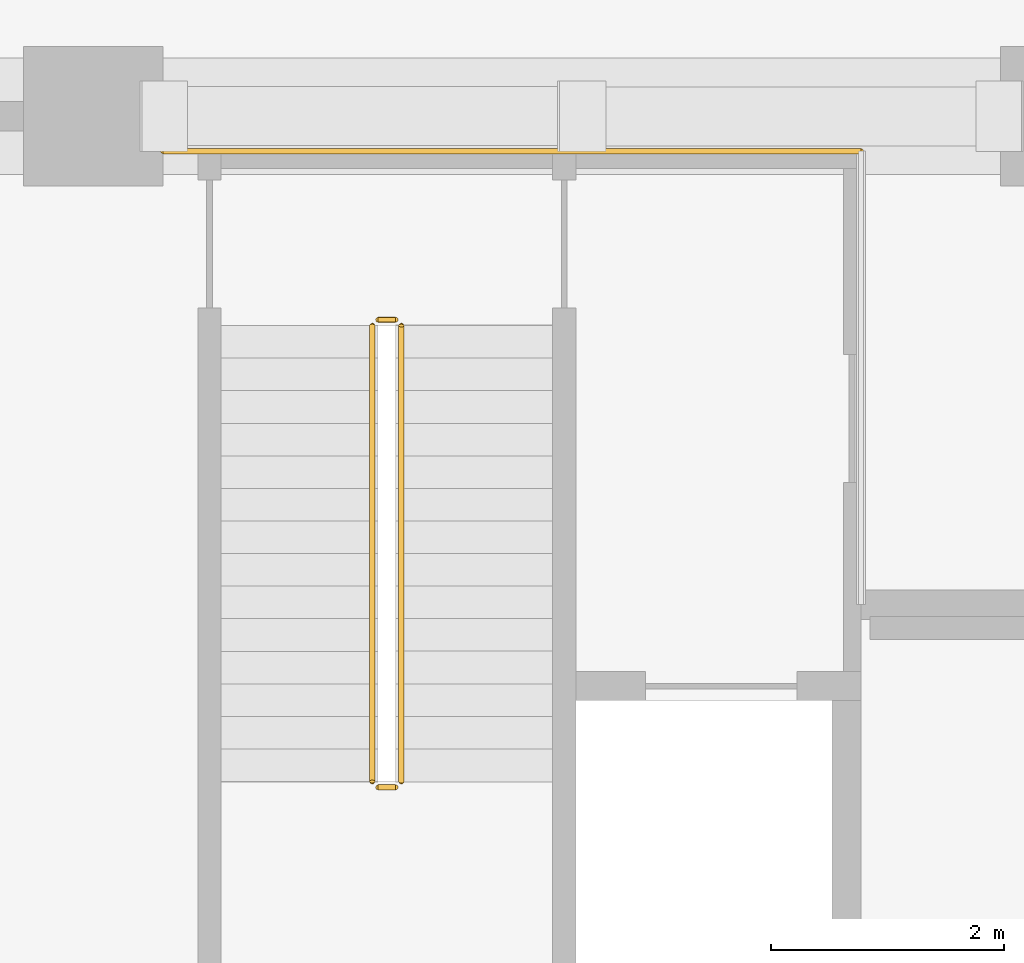
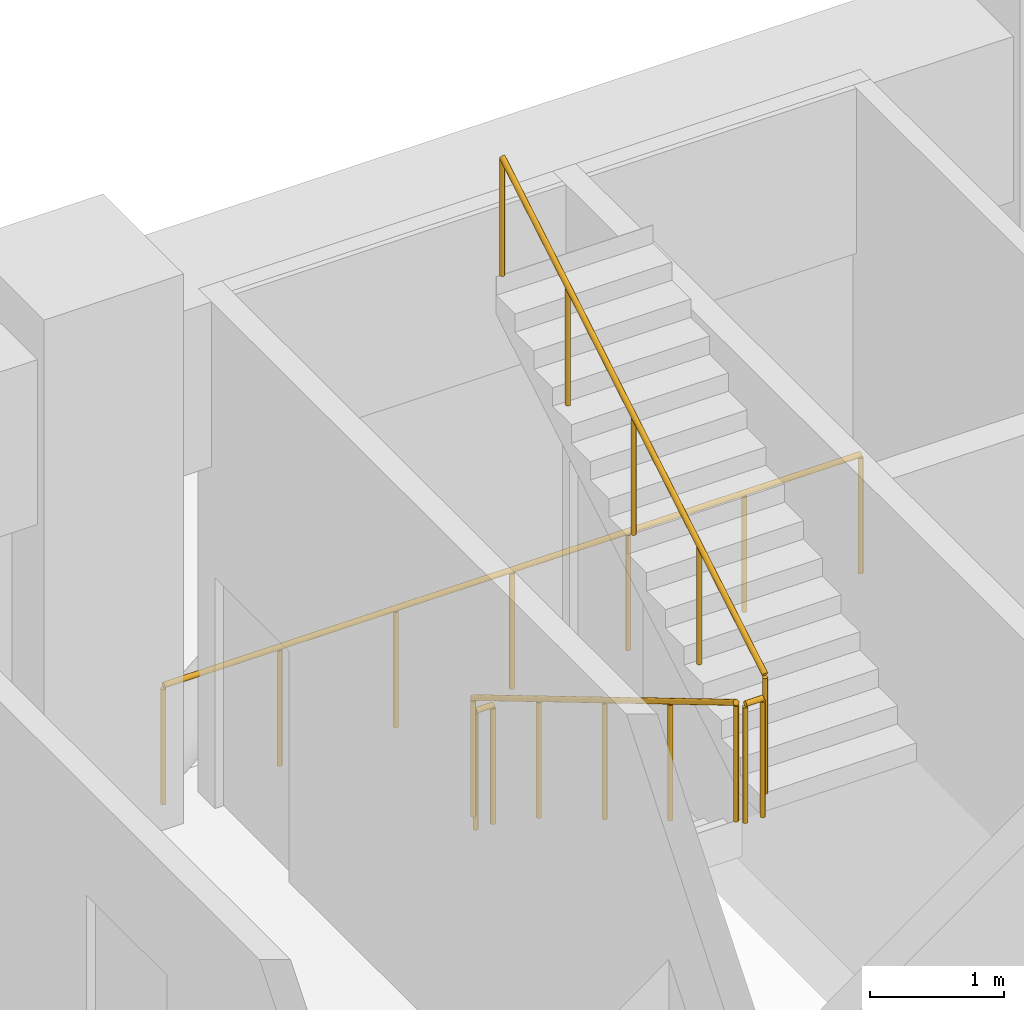
# One storey, part 18 of 19: 5 railings.
"""IFC4 building model written with IfcOpenShell, lengths in metres."""

from ifc_helpers import new_model, si_unit, direction, frame, origin, origin_2d, place, context, subcontext, project, spatial, circle, extrude, material, type_object, element, save


model = new_model("IFC4")

# Units and contexts
model_context = context("Model", 3, precision=1e-05, world=origin(), true_north=direction((0.0, 1.0)))
body_context = subcontext(model_context, "Body", "Model", "MODEL_VIEW")
ifc_project = project(units=[si_unit("LENGTHUNIT", "METRE"), si_unit("AREAUNIT", "SQUARE_METRE"), si_unit("VOLUMEUNIT", "CUBIC_METRE"), si_unit("PLANEANGLEUNIT", "RADIAN"), si_unit("MASSUNIT", "GRAM", prefix="KILO")], contexts=[model_context])

# Site, building, storey
site_placement = place(None, origin())
site = spatial("IfcSite", under=ifc_project, at=site_placement, CompositionType="ELEMENT")
building_placement = place(site_placement, origin())
building = spatial("IfcBuilding", under=site, at=building_placement, Name="Kawkab Arch Medical Tower", CompositionType="ELEMENT")
storey_placement = place(building_placement, frame((0.0, 0.0, 34.199951171875)))
storey = spatial("IfcBuildingStorey", under=building, at=storey_placement, Name="L07", CompositionType="ELEMENT", Elevation=34.199951171875)

# Railings
ifc_material_1 = material(Name="Bronze anodised aluminium guard", Category="aluminium")
railing_type_1 = type_object("IfcRailingType", Name="Loggia and terrace guard 1100", PredefinedType="GUARDRAIL", material=ifc_material_1)
railing_1_placement = place(storey_placement, frame((48.60107421875, -0.300048828125, 0.0)))
element("IfcRailing", 1, at=railing_1_placement, inside=storey, type_object=railing_type_1, Name="Band guard L07.R18.1", PredefinedType="GUARDRAIL", context=body_context, shape_type="SweptSolid", body=[
    extrude(circle(Radius=0.02392578125, at=origin_2d()), frame((0.0, 0.0, 1.076171875), z_axis=(-1.0, 0.0, 0.0), x_axis=(0.0, -1.0, 0.0)), (0.0, 0.0, 1.0), 6.0009765625),
    extrude(circle(Radius=0.02099609375, at=origin_2d()), origin(), (0.0, 0.0, 1.0), 1.052001953125),
    extrude(circle(Radius=0.02099609375, at=origin_2d()), frame((-1.000244140625, 0.0, 0.0)), (0.0, 0.0, 1.0), 1.052001953125),
    extrude(circle(Radius=0.02099609375, at=origin_2d()), frame((-2.000244140625, 0.0, 0.0)), (0.0, 0.0, 1.0), 1.052001953125),
    extrude(circle(Radius=0.02099609375, at=origin_2d()), frame((-3.00048828125, 0.0, 0.0)), (0.0, 0.0, 1.0), 1.052001953125),
    extrude(circle(Radius=0.02099609375, at=origin_2d()), frame((-4.000732421875, 0.0, 0.0)), (0.0, 0.0, 1.0), 1.052001953125),
    extrude(circle(Radius=0.02099609375, at=origin_2d()), frame((-5.000732421875, 0.0, 0.0)), (0.0, 0.0, 1.0), 1.052001953125),
    extrude(circle(Radius=0.02099609375, at=origin_2d()), frame((-6.0009765625, 0.0, 0.0)), (0.0, 0.0, 1.0), 1.052001953125),
])
ifc_material_2 = material(Name="Stainless steel", Category="steel")
railing_type_2 = type_object("IfcRailingType", Name="Stair guard 1100", PredefinedType="GUARDRAIL", material=ifc_material_2)
railing_2_placement = place(storey_placement, frame((44.39990234375, -1.800048828125, 0.166748046875)))
element("IfcRailing", 2, at=railing_2_placement, inside=storey, type_object=railing_type_2, Name="L07 ST5 stair guard 1", PredefinedType="GUARDRAIL", context=body_context, shape_type="SweptSolid", body=[
    extrude(circle(Radius=0.02392578125, at=origin_2d()), frame((0.0, 0.0, 1.076171875), z_axis=(0.0, -0.859296244711, 0.511478214419), x_axis=(1.0, 0.0, 0.0)), (0.0, 0.0, 1.0), 4.561767578125),
    extrude(circle(Radius=0.02099609375, at=origin_2d()), origin(), (0.0, 0.0, 1.0), 1.052001953125),
    extrude(circle(Radius=0.02099609375, at=origin_2d()), frame((0.0, -0.97998046875, 0.583251953125)), (0.0, 0.0, 1.0), 1.052001953125),
    extrude(circle(Radius=0.02099609375, at=origin_2d()), frame((0.0, -1.9599609375, 1.16650390625)), (0.0, 0.0, 1.0), 1.052001953125),
    extrude(circle(Radius=0.02099609375, at=origin_2d()), frame((0.0, -2.93994140625, 1.75)), (0.0, 0.0, 1.0), 1.052001953125),
    extrude(circle(Radius=0.02099609375, at=origin_2d()), frame((0.0, -3.919921875, 2.333251953125)), (0.0, 0.0, 1.0), 1.052001953125),
])
railing_3_placement = place(storey_placement, frame((44.449951171875, -5.77001953125, 2.5)))
element("IfcRailing", 3, at=railing_3_placement, inside=storey, type_object=railing_type_2, Name="L07 ST5 stair guard 2", PredefinedType="GUARDRAIL", context=body_context, shape_type="SweptSolid", body=[
    extrude(circle(Radius=0.02392578125, at=origin_2d()), frame((0.0, 0.0, 1.076171875), z_axis=(1.0, 0.0, 0.0), x_axis=(0.0, 1.0, 0.0)), (0.0, 0.0, 1.0), 0.150146484375),
    extrude(circle(Radius=0.02099609375, at=origin_2d()), origin(), (0.0, 0.0, 1.0), 1.052001953125),
    extrude(circle(Radius=0.02099609375, at=origin_2d()), frame((0.150146484375, 0.0, 0.0)), (0.0, 0.0, 1.0), 1.052001953125),
])
railing_4_placement = place(storey_placement, frame((44.64990234375, -5.719970703125, 2.666748046875)))
element("IfcRailing", 4, at=railing_4_placement, inside=storey, type_object=railing_type_2, Name="L07 ST5 stair guard 3", PredefinedType="GUARDRAIL", context=body_context, shape_type="SweptSolid", body=[
    extrude(circle(Radius=0.02392578125, at=origin_2d()), frame((0.0, 0.0, 1.076171875), z_axis=(0.0, 0.859296244711, 0.511478214419), x_axis=(-1.0, 0.0, 0.0)), (0.0, 0.0, 1.0), 4.561767578125),
    extrude(circle(Radius=0.02099609375, at=origin_2d()), origin(), (0.0, 0.0, 1.0), 1.052001953125),
    extrude(circle(Radius=0.02099609375, at=origin_2d()), frame((0.0, 0.97998046875, 0.583251953125)), (0.0, 0.0, 1.0), 1.052001953125),
    extrude(circle(Radius=0.02099609375, at=origin_2d()), frame((0.0, 1.9599609375, 1.16650390625)), (0.0, 0.0, 1.0), 1.052001953125),
    extrude(circle(Radius=0.02099609375, at=origin_2d()), frame((0.0, 2.93994140625, 1.75)), (0.0, 0.0, 1.0), 1.052001953125),
    extrude(circle(Radius=0.02099609375, at=origin_2d()), frame((0.0, 3.919921875, 2.333251953125)), (0.0, 0.0, 1.0), 1.052001953125),
])
railing_5_placement = place(storey_placement, frame((44.449951171875, -1.75, 0.0)))
element("IfcRailing", 5, at=railing_5_placement, inside=storey, type_object=railing_type_2, Name="L07 ST5 stair guard 4", PredefinedType="GUARDRAIL", context=body_context, shape_type="SweptSolid", body=[
    extrude(circle(Radius=0.02392578125, at=origin_2d()), frame((0.0, 0.0, 1.076171875), z_axis=(1.0, 0.0, 0.0), x_axis=(0.0, 1.0, 0.0)), (0.0, 0.0, 1.0), 0.150146484375),
    extrude(circle(Radius=0.02099609375, at=origin_2d()), origin(), (0.0, 0.0, 1.0), 1.052001953125),
    extrude(circle(Radius=0.02099609375, at=origin_2d()), frame((0.150146484375, 0.0, 0.0)), (0.0, 0.0, 1.0), 1.052001953125),
])

save(model, "model.ifc")
